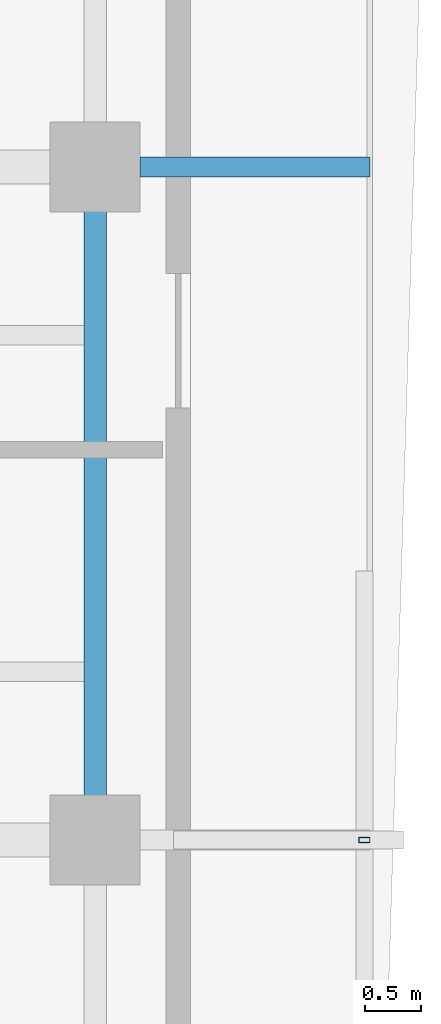
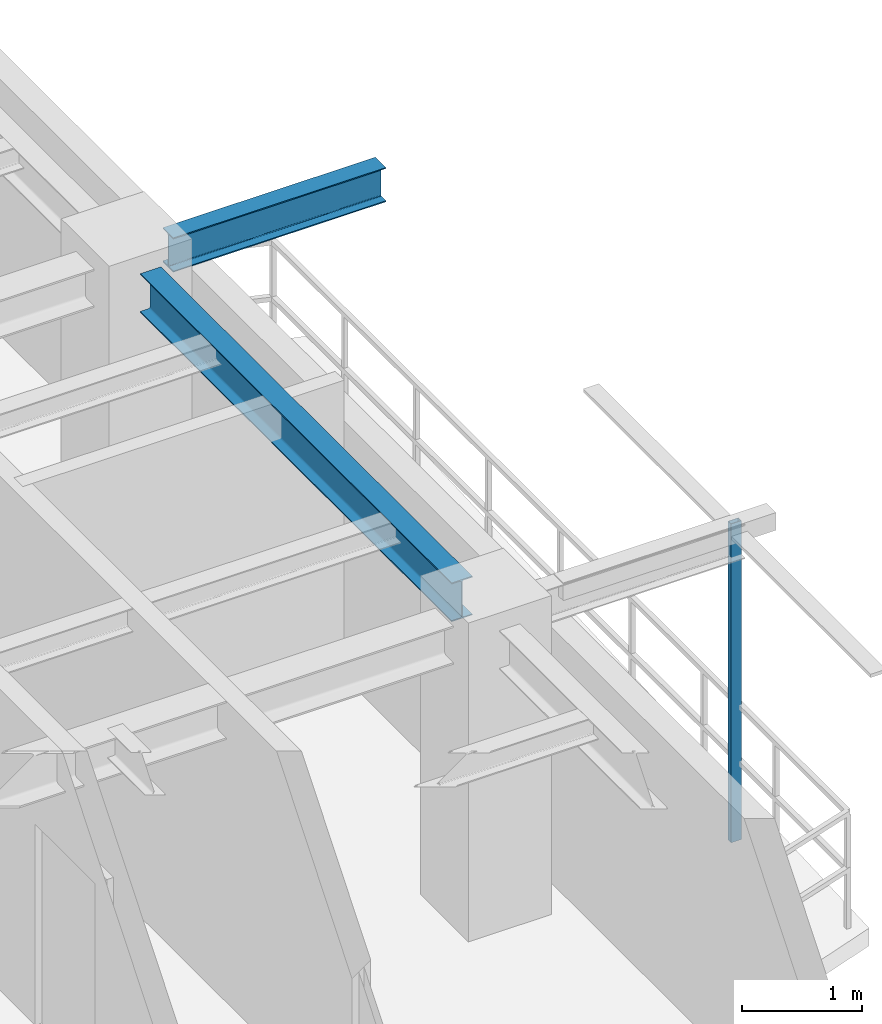
# One storey, part 7 of 16: 2 beams, 1 member.
"""IFC4 building model written with IfcOpenShell, lengths in metres."""

from ifc_helpers import new_model, si_unit, direction, frame, origin, origin_2d, place, context, subcontext, project, spatial, hollow_rectangle, i_section, extrude, source, transform, mapped, material, material_profile, profile_set, type_object, element, save


model = new_model("IFC4")

# Units and contexts
model_context = context("Model", 3, precision=1e-05, world=origin(), true_north=direction((0.0, 1.0)))
body_context = subcontext(model_context, "Body", "Model", "MODEL_VIEW")
ifc_project = project(units=[si_unit("LENGTHUNIT", "METRE"), si_unit("AREAUNIT", "SQUARE_METRE"), si_unit("VOLUMEUNIT", "CUBIC_METRE"), si_unit("PLANEANGLEUNIT", "RADIAN"), si_unit("MASSUNIT", "GRAM", prefix="KILO"), si_unit("THERMODYNAMICTEMPERATUREUNIT", "KELVIN"), si_unit("POWERUNIT", "WATT")], contexts=[model_context])

# Site, building, storey
site_placement = place(None, origin())
site = spatial("IfcSite", under=ifc_project, at=site_placement, CompositionType="ELEMENT")
building_placement = place(site_placement, origin())
building = spatial("IfcBuilding", under=site, at=building_placement, Name="Qiaomeng Ring Towers", CompositionType="ELEMENT")
storey_placement = place(building_placement, frame((0.0, 0.0, 190.5)))
storey = spatial("IfcBuildingStorey", under=building, at=storey_placement, Name="L55", CompositionType="ELEMENT", Elevation=190.5)

# Beams
ifc_material_1 = material(Name="Steel Q355B", Category="steel")
ifc_material_profile_1 = material_profile(ifc_material_1, i_section(OverallWidth=0.198974609375, OverallDepth=0.39599609375, WebThickness=0.007080078125, FlangeThickness=0.010986328125, FilletRadius=0.01611328125, at=origin_2d()), Name="HN 396x199x7x11")
ifc_profile_set_1 = profile_set([ifc_material_profile_1], Name="Steel Q355B")
beam_type_1 = type_object("IfcBeamType", Name="STR-BM-HN396", PredefinedType="SPANDREL", material=ifc_profile_set_1)
shared_shape_1 = source(origin(), body_context, "Body", "SweptSolid", [
    extrude(i_section(OverallWidth=0.198974609375, OverallDepth=0.39599609375, WebThickness=0.007080078125, FlangeThickness=0.010986328125, FilletRadius=0.01611328125, at=origin_2d()), origin(), (0.0, 0.0, 1.0), 5.2021484375),
])
beam_1_placement = place(storey_placement, frame((34.949951171875, 20.39892578125, 2.8720703125), z_axis=(0.0, 1.0, 0.0), x_axis=(-1.0, 0.0, 0.0)))
element("IfcBeam", 1, at=beam_1_placement, inside=storey, type_object=beam_type_1, Name="L55 beam STR-SP-L55-T1-E2-E3", PredefinedType="SPANDREL", context=body_context, shape_type="MappedRepresentation", body=[
    mapped(shared_shape_1, transform((0.0, 0.0, 0.0), x_axis=(1.0, 0.0, 0.0), y_axis=(0.0, 1.0, 0.0), z_axis=(0.0, 0.0, 1.0), scale=1.0)),
])
ifc_material_profile_2 = material_profile(ifc_material_1, i_section(OverallWidth=0.175048828125, OverallDepth=0.35009765625, WebThickness=0.007080078125, FlangeThickness=0.010986328125, FilletRadius=0.013916015625, at=origin_2d()), Name="HN 350x175x7x11")
ifc_profile_set_2 = profile_set([ifc_material_profile_2], Name="Steel Q355B")
beam_type_2 = type_object("IfcBeamType", Name="STR-BM-HN350", PredefinedType="JOIST", material=ifc_profile_set_2)
shared_shape_2 = source(origin(), body_context, "Body", "SweptSolid", [
    extrude(i_section(OverallWidth=0.175048828125, OverallDepth=0.35009765625, WebThickness=0.007080078125, FlangeThickness=0.010986328125, FilletRadius=0.013916015625, at=origin_2d()), origin(), (0.0, 0.0, 1.0), 2.05078125),
])
beam_2_placement = place(storey_placement, frame((35.34912109375, 26.0, 2.89501953125), z_axis=(1.0, 0.0, 0.0), x_axis=(0.0, 1.0, 0.0)))
element("IfcBeam", 2, at=beam_2_placement, inside=storey, type_object=beam_type_2, Name="L55 beam STR-BALBM-L55-E3", PredefinedType="JOIST", context=body_context, shape_type="MappedRepresentation", body=[
    mapped(shared_shape_2, transform((0.0, 0.0, 0.0), x_axis=(1.0, 0.0, 0.0), y_axis=(0.0, 1.0, 0.0), z_axis=(0.0, 0.0, 1.0), scale=1.0)),
])

# Member
ifc_material_2 = material(Name="Stainless steel 316", Category="steel")
ifc_material_profile_3 = material_profile(ifc_material_2, hollow_rectangle(XDim=0.050048828125, YDim=0.10009765625, WallThickness=0.00390625, at=origin_2d()), Name="SS TRELLIS 100x50")
ifc_profile_set_3 = profile_set([ifc_material_profile_3], Name="Stainless steel 316")
member_type = type_object("IfcMemberType", Name="ARC-TR-POST2", PredefinedType="STUD", material=ifc_profile_set_3)
shared_shape_3 = source(origin(), body_context, "Body", "SweptSolid", [
    extrude(hollow_rectangle(XDim=0.050048828125, YDim=0.10009765625, WallThickness=0.00390625, at=origin_2d()), origin(), (0.0, 0.0, 1.0), 3.25),
])
member_placement = place(storey_placement, frame((37.35009765625, 20.0, -0.179931640625), z_axis=(0.0, 0.0, 1.0), x_axis=(0.0, 1.0, 0.0)))
element("IfcMember", 3, at=member_placement, inside=storey, type_object=member_type, Name="L55 Outer Ventilated Trellis Post E", PredefinedType="STUD", context=body_context, shape_type="MappedRepresentation", body=[
    mapped(shared_shape_3, transform((0.0, 0.0, 0.0), x_axis=(1.0, 0.0, 0.0), y_axis=(0.0, 1.0, 0.0), z_axis=(0.0, 0.0, 1.0), scale=1.0)),
])

save(model, "model.ifc")
